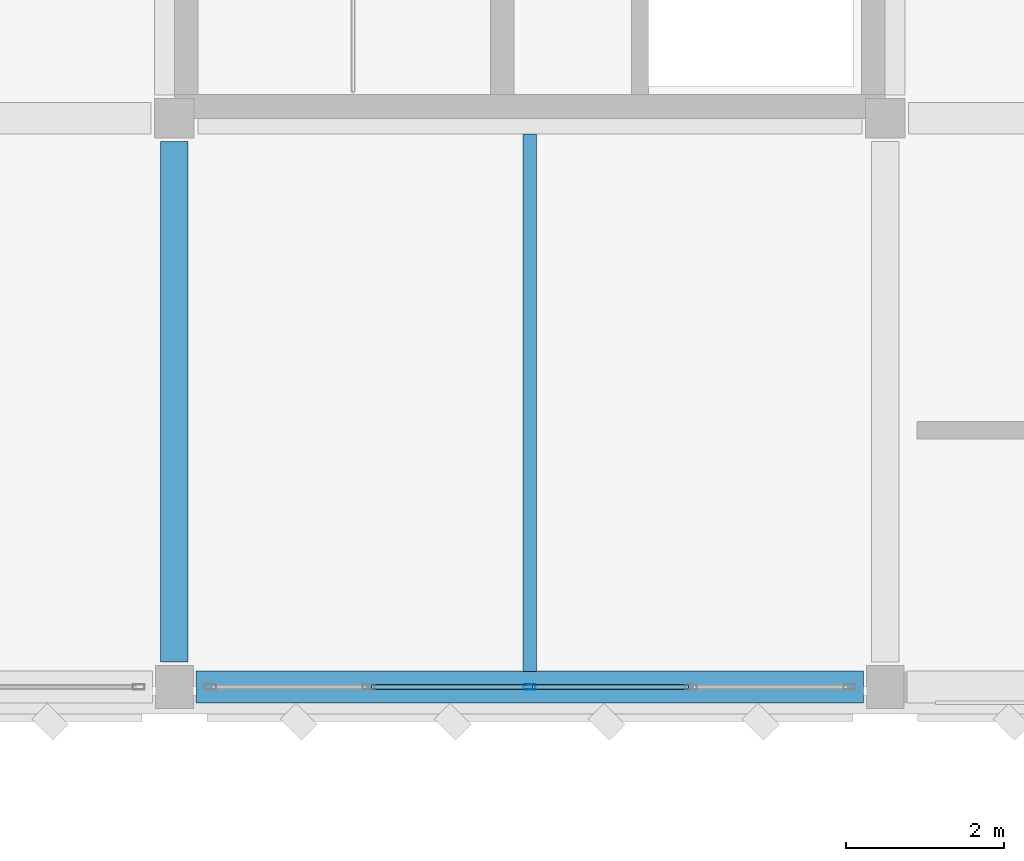
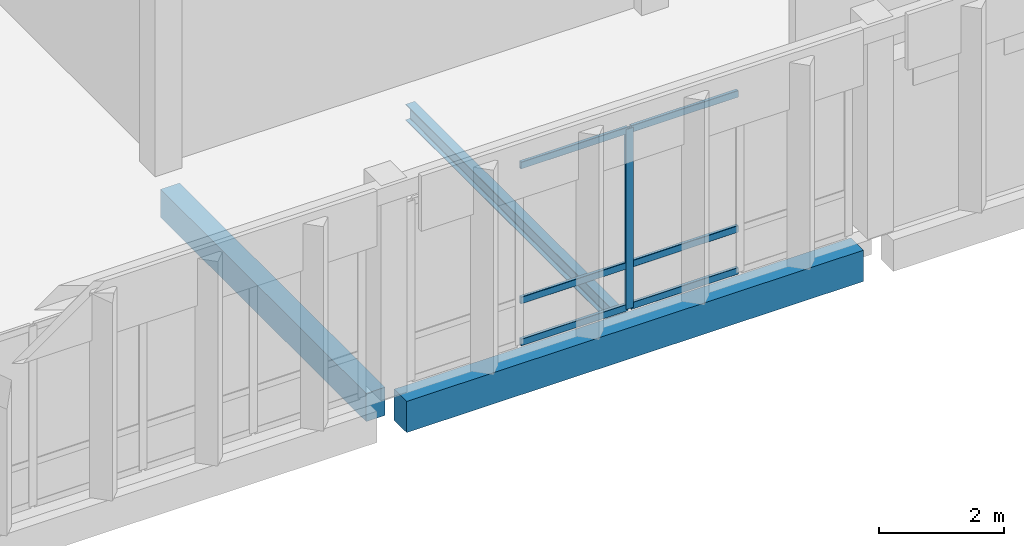
# One storey, part 41 of 72: 7 members, 3 beams, 1 element without a shape of its own.
"""IFC4 building model written with IfcOpenShell, lengths in metres."""

from ifc_helpers import new_model, si_unit, direction, frame, origin, origin_2d, place, context, subcontext, project, spatial, rectangle, hollow_rectangle, i_section, extrude, material, material_profile, profile_set, type_object, element, aggregate, save


model = new_model("IFC4")

# Units and contexts
model_context = context("Model", 3, precision=1e-05, world=origin(), true_north=direction((0.0, 1.0)))
body_context = subcontext(model_context, "Body", "Model", "MODEL_VIEW")
ifc_project = project(units=[si_unit("LENGTHUNIT", "METRE"), si_unit("AREAUNIT", "SQUARE_METRE"), si_unit("VOLUMEUNIT", "CUBIC_METRE"), si_unit("PLANEANGLEUNIT", "RADIAN"), si_unit("MASSUNIT", "GRAM", prefix="KILO")], contexts=[model_context])

# Site, building, storey
site_placement = place(None, origin())
site = spatial("IfcSite", under=ifc_project, at=site_placement, CompositionType="ELEMENT")
building_placement = place(site_placement, origin())
building = spatial("IfcBuilding", under=site, at=building_placement, Name="Lusvemor Sports Hall", CompositionType="ELEMENT")
storey_placement = place(building_placement, frame((0.0, 0.0, 15.0)))
storey = spatial("IfcBuildingStorey", under=building, at=storey_placement, Name="L03", CompositionType="ELEMENT", Elevation=15.0)

# Beam
ifc_material_1 = material(Name="Concrete C40/50", Category="concrete")
ifc_material_profile_1 = material_profile(ifc_material_1, rectangle(XDim=0.35009765625, YDim=0.550048828125, at=origin_2d()), Name="RC350x550")
ifc_profile_set_1 = profile_set([ifc_material_profile_1], Name="Concrete C40/50")
beam_type_1 = type_object("IfcBeamType", Name="BEAM_RC_550", PredefinedType="BEAM", material=ifc_profile_set_1)
beam_1_placement = place(storey_placement, frame((102.60009765625, 97.51611328125, -0.514892578125), z_axis=(0.0, 1.0, 0.0), x_axis=(-1.0, 0.0, 0.0)))
element("IfcBeam", 1, at=beam_1_placement, inside=storey, type_object=beam_type_1, Name="Beam L03 11:N-P", PredefinedType="BEAM", context=body_context, shape_type="SweptSolid", body=[
    extrude(rectangle(XDim=0.35009765625, YDim=0.550048828125, at=origin_2d()), origin(), (0.0, 0.0, 1.0), 6.587890625),
])

# Curtain wall, members
ifc_material_2 = material(Name="Thermally broken bronze-anodized aluminium", Category="aluminium")
curtain_wall_type = type_object("IfcCurtainWallType", Name="CW_WING_B", PredefinedType="NOTDEFINED", material=ifc_material_2)
curtain_wall_placement = place(storey_placement, origin())
curtain_wall = element("IfcCurtainWall", 2, at=curtain_wall_placement, inside=storey, type_object=curtain_wall_type, Name="Curtain Wall CW-L03-S-3-8", PredefinedType="NOTDEFINED")
ifc_material_3 = material(Name="Thermally broken bronze-anodized aluminium", Category="aluminium")
ifc_material_profile_2 = material_profile(ifc_material_3, hollow_rectangle(XDim=0.06494140625, YDim=0.14990234375, WallThickness=0.00390625, InnerFilletRadius=0.00390625, OuterFilletRadius=0.008056640625, at=origin_2d()), Name="CWMUL150x65x4")
ifc_profile_set_2 = profile_set([ifc_material_profile_2], Name="Thermally broken bronze-anodized aluminium")
member_type_1 = type_object("IfcMemberType", Name="CW_MUL_B", PredefinedType="MULLION", material=ifc_profile_set_2)
member_1_placement = place(storey_placement, frame((107.10009765625, 97.199951171875, 0.0), z_axis=(0.0, 0.0, 1.0), x_axis=(0.0, -1.0, 0.0)))
member_1 = element("IfcMember", 3, at=member_1_placement, type_object=member_type_1, Name="CW02 mullion 3", PredefinedType="MULLION", context=body_context, shape_type="SweptSolid", body=[
    extrude(hollow_rectangle(XDim=0.06494140625, YDim=0.14990234375, WallThickness=0.00390625, InnerFilletRadius=0.00390625, OuterFilletRadius=0.008056640625, at=origin_2d()), origin(), (0.0, 0.0, 1.0), 3.52001953125),
])
ifc_material_4 = material(Name="Thermally broken bronze-anodized aluminium", Category="aluminium")
ifc_material_profile_3 = material_profile(ifc_material_4, hollow_rectangle(XDim=0.06005859375, YDim=0.135009765625, WallThickness=0.00390625, InnerFilletRadius=0.00390625, OuterFilletRadius=0.008056640625, at=origin_2d()), Name="CWTRN135x60x4")
ifc_profile_set_3 = profile_set([ifc_material_profile_3], Name="Thermally broken bronze-anodized aluminium")
member_type_2 = type_object("IfcMemberType", Name="CW_TRN_B", PredefinedType="USERDEFINED", material=ifc_profile_set_3)
member_2_placement = place(storey_placement, frame((109.107421875, 97.199951171875, 0.030029296875), z_axis=(-1.0, 0.0, 0.0), x_axis=(0.0, -1.0, 0.0)))
member_2 = element("IfcMember", 4, at=member_2_placement, type_object=member_type_2, Name="CW02 transom 2.1", ObjectType="TRANSOM", PredefinedType="USERDEFINED", context=body_context, shape_type="SweptSolid", body=[
    extrude(hollow_rectangle(XDim=0.06005859375, YDim=0.135009765625, WallThickness=0.00390625, InnerFilletRadius=0.00390625, OuterFilletRadius=0.008056640625, at=origin_2d()), origin(), (0.0, 0.0, 1.0), 1.974853515625),
])
member_3_placement = place(storey_placement, frame((109.107421875, 97.199951171875, 0.85009765625), z_axis=(-1.0, 0.0, 0.0), x_axis=(0.0, -1.0, 0.0)))
member_3 = element("IfcMember", 5, at=member_3_placement, type_object=member_type_2, Name="CW02 transom 2.2", ObjectType="TRANSOM", PredefinedType="USERDEFINED", context=body_context, shape_type="SweptSolid", body=[
    extrude(hollow_rectangle(XDim=0.06005859375, YDim=0.135009765625, WallThickness=0.00390625, InnerFilletRadius=0.00390625, OuterFilletRadius=0.008056640625, at=origin_2d()), origin(), (0.0, 0.0, 1.0), 1.974853515625),
])
member_4_placement = place(storey_placement, frame((109.107421875, 97.199951171875, 3.489990234375), z_axis=(-1.0, 0.0, 0.0), x_axis=(0.0, -1.0, 0.0)))
member_4 = element("IfcMember", 6, at=member_4_placement, type_object=member_type_2, Name="CW02 transom 2.3", ObjectType="TRANSOM", PredefinedType="USERDEFINED", context=body_context, shape_type="SweptSolid", body=[
    extrude(hollow_rectangle(XDim=0.06005859375, YDim=0.135009765625, WallThickness=0.00390625, InnerFilletRadius=0.00390625, OuterFilletRadius=0.008056640625, at=origin_2d()), origin(), (0.0, 0.0, 1.0), 1.974853515625),
])
member_5_placement = place(storey_placement, frame((107.0673828125, 97.199951171875, 0.030029296875), z_axis=(-1.0, 0.0, 0.0), x_axis=(0.0, -1.0, 0.0)))
member_5 = element("IfcMember", 7, at=member_5_placement, type_object=member_type_2, Name="CW02 transom 3.1", ObjectType="TRANSOM", PredefinedType="USERDEFINED", context=body_context, shape_type="SweptSolid", body=[
    extrude(hollow_rectangle(XDim=0.06005859375, YDim=0.135009765625, WallThickness=0.00390625, InnerFilletRadius=0.00390625, OuterFilletRadius=0.008056640625, at=origin_2d()), origin(), (0.0, 0.0, 1.0), 1.974853515625),
])
member_6_placement = place(storey_placement, frame((107.0673828125, 97.199951171875, 0.85009765625), z_axis=(-1.0, 0.0, 0.0), x_axis=(0.0, -1.0, 0.0)))
member_6 = element("IfcMember", 8, at=member_6_placement, type_object=member_type_2, Name="CW02 transom 3.2", ObjectType="TRANSOM", PredefinedType="USERDEFINED", context=body_context, shape_type="SweptSolid", body=[
    extrude(hollow_rectangle(XDim=0.06005859375, YDim=0.135009765625, WallThickness=0.00390625, InnerFilletRadius=0.00390625, OuterFilletRadius=0.008056640625, at=origin_2d()), origin(), (0.0, 0.0, 1.0), 1.974853515625),
])
member_7_placement = place(storey_placement, frame((107.0673828125, 97.199951171875, 3.489990234375), z_axis=(-1.0, 0.0, 0.0), x_axis=(0.0, -1.0, 0.0)))
member_7 = element("IfcMember", 9, at=member_7_placement, type_object=member_type_2, Name="CW02 transom 3.3", ObjectType="TRANSOM", PredefinedType="USERDEFINED", context=body_context, shape_type="SweptSolid", body=[
    extrude(hollow_rectangle(XDim=0.06005859375, YDim=0.135009765625, WallThickness=0.00390625, InnerFilletRadius=0.00390625, OuterFilletRadius=0.008056640625, at=origin_2d()), origin(), (0.0, 0.0, 1.0), 1.974853515625),
])
aggregate(curtain_wall, [member_1, member_2, member_3, member_4, member_5, member_6, member_7])

# Beams
ifc_material_5 = material(Name="Steel S355", Category="steel")
ifc_material_profile_4 = material_profile(ifc_material_5, i_section(OverallWidth=0.1669921875, OverallDepth=0.31689453125, WebThickness=0.007568359375, FlangeThickness=0.01318359375, FilletRadius=0.014892578125, at=origin_2d()), Name="W310x52.0")
ifc_profile_set_4 = profile_set([ifc_material_profile_4], Name="Steel S355")
beam_type_2 = type_object("IfcBeamType", Name="JOIST_ST_310M", PredefinedType="JOIST", material=ifc_profile_set_4)
beam_2_placement = place(storey_placement, frame((107.10009765625, 97.39599609375, -0.402587890625), z_axis=(0.0, 1.0, 0.0), x_axis=(-1.0, 0.0, 0.0)))
element("IfcBeam", 10, at=beam_2_placement, inside=storey, type_object=beam_type_2, Name="Secondary Joist L03 11-12/N-P #1", PredefinedType="JOIST", context=body_context, shape_type="SweptSolid", body=[
    extrude(i_section(OverallWidth=0.1669921875, OverallDepth=0.31689453125, WebThickness=0.007568359375, FlangeThickness=0.01318359375, FilletRadius=0.014892578125, at=origin_2d()), origin(), (0.0, 0.0, 1.0), 6.80810546875),
])
ifc_material_6 = material(Name="Concrete C40/50", Category="concrete")
ifc_material_profile_5 = material_profile(ifc_material_6, rectangle(XDim=0.39990234375, YDim=0.610107421875, at=origin_2d()), Name="RC400x610")
ifc_profile_set_5 = profile_set([ifc_material_profile_5], Name="Concrete C40/50")
beam_type_3 = type_object("IfcBeamType", Name="SPAND_EXT_650", PredefinedType="SPANDREL", material=ifc_profile_set_5)
beam_3_placement = place(storey_placement, frame((102.8759765625, 97.199951171875, -0.544921875), z_axis=(1.0, 0.0, 0.0), x_axis=(0.0, 1.0, 0.0)))
element("IfcBeam", 11, at=beam_3_placement, inside=storey, type_object=beam_type_3, Name="Beam L03 N:11-12", PredefinedType="SPANDREL", context=body_context, shape_type="SweptSolid", body=[
    extrude(rectangle(XDim=0.39990234375, YDim=0.610107421875, at=origin_2d()), origin(), (0.0, 0.0, 1.0), 8.447998046875),
])

save(model, "model.ifc")
